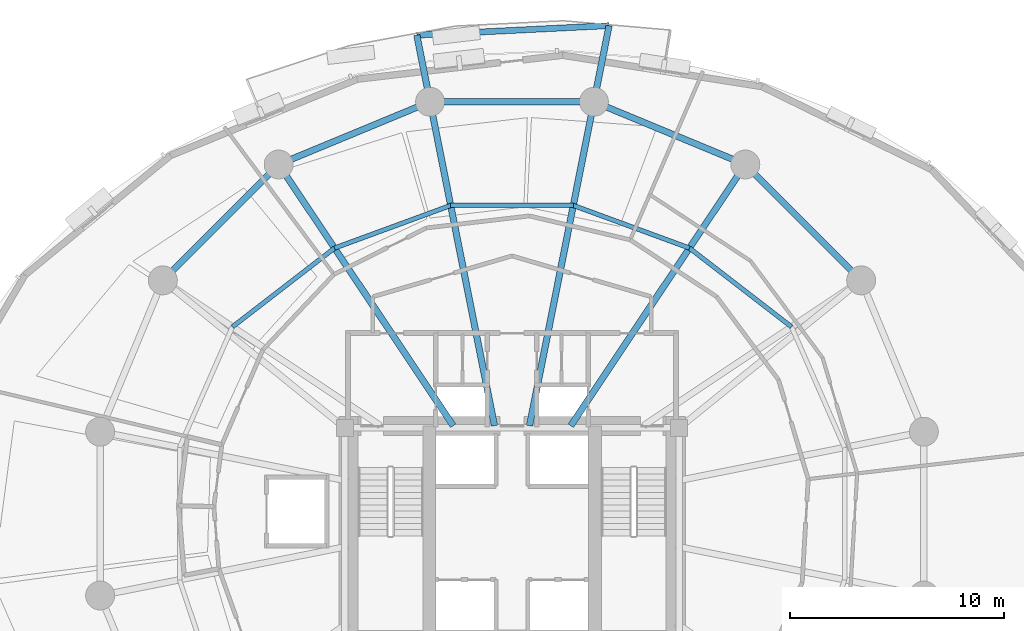
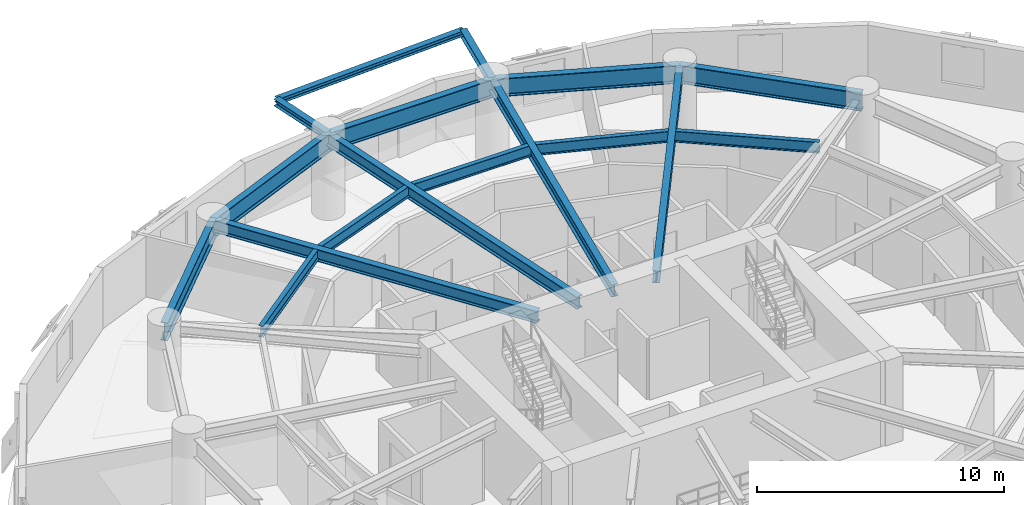
# One storey, part 9 of 17: 17 beams.
"""IFC4 building model written with IfcOpenShell, lengths in metres."""

from ifc_helpers import new_model, si_unit, direction, frame, origin, origin_2d, place, context, subcontext, project, spatial, i_section, extrude, material, material_profile, profile_set, type_object, element, save


model = new_model("IFC4")

# Units and contexts
model_context = context("Model", 3, precision=1e-05, world=origin(), true_north=direction((0.0, 1.0)))
body_context = subcontext(model_context, "Body", "Model", "MODEL_VIEW")
ifc_project = project(units=[si_unit("LENGTHUNIT", "METRE"), si_unit("AREAUNIT", "SQUARE_METRE"), si_unit("VOLUMEUNIT", "CUBIC_METRE"), si_unit("PLANEANGLEUNIT", "RADIAN"), si_unit("MASSUNIT", "GRAM", prefix="KILO"), si_unit("THERMODYNAMICTEMPERATUREUNIT", "KELVIN"), si_unit("POWERUNIT", "WATT")], contexts=[model_context])

# Site, building, storey
site_placement = place(None, origin())
site = spatial("IfcSite", under=ifc_project, at=site_placement, CompositionType="ELEMENT")
building_placement = place(site_placement, origin())
building = spatial("IfcBuilding", under=site, at=building_placement, Name="Ocrelia Relay Tower", CompositionType="ELEMENT")
storey_placement = place(building_placement, frame((0.0, 0.0, 59.39990234375)))
storey = spatial("IfcBuildingStorey", under=building, at=storey_placement, Name="L13", CompositionType="ELEMENT", Elevation=59.39990234375)

# Beams
ifc_material = material(Name="Steel S355", Category="steel")
ifc_material_profile_1 = material_profile(ifc_material, i_section(OverallWidth=0.280029296875, OverallDepth=0.27001953125, WebThickness=0.008056640625, FlangeThickness=0.012939453125, FilletRadius=0.02392578125, at=origin_2d()), Name="HEA 280")
ifc_profile_set_1 = profile_set([ifc_material_profile_1], Name="Steel S355")
beam_type_1 = type_object("IfcBeamType", Name="BM-HEA280", PredefinedType="BEAM", material=ifc_profile_set_1)
beam_1_placement = place(storey_placement, frame((38.53076171875, 48.777587890625, 3.78515625), z_axis=(-0.998781642937, -0.049348046894, 0.0), x_axis=(0.049348046894, -0.998781642937, 0.0)))
element("IfcBeam", 1, at=beam_1_placement, inside=storey, type_object=beam_type_1, Name="L14 Balcony Edge Trimmer Beam B1", PredefinedType="BEAM", context=body_context, shape_type="SweptSolid", body=[
    extrude(i_section(OverallWidth=0.280029296875, OverallDepth=0.27001953125, WebThickness=0.008056640625, FlangeThickness=0.012939453125, FilletRadius=0.02392578125, at=origin_2d()), origin(), (0.0, 0.0, 1.0), 8.984375),
])
ifc_material_profile_2 = material_profile(ifc_material, i_section(OverallWidth=0.300048828125, OverallDepth=0.330078125, WebThickness=0.009521484375, FlangeThickness=0.0166015625, FilletRadius=0.027099609375, at=origin_2d()), Name="HEA 340")
ifc_profile_set_2 = profile_set([ifc_material_profile_2], Name="Steel S355")
beam_type_2 = type_object("IfcBeamType", Name="BM-HEA340", PredefinedType="BEAM", material=ifc_profile_set_2)
beam_2_placement = place(storey_placement, frame((37.82373046875, 45.223388671875, 3.755126953125), z_axis=(0.195105470888, 0.980782266984, 0.0), x_axis=(-0.980782266984, 0.195105470888, 0.0)))
element("IfcBeam", 2, at=beam_2_placement, inside=storey, type_object=beam_type_2, Name="L14 Balcony Cantilever Beam B1-1", PredefinedType="BEAM", context=body_context, shape_type="SweptSolid", body=[
    extrude(i_section(OverallWidth=0.300048828125, OverallDepth=0.330078125, WebThickness=0.009521484375, FlangeThickness=0.0166015625, FilletRadius=0.027099609375, at=origin_2d()), origin(), (0.0, 0.0, 1.0), 3.623779296875),
])
beam_3_placement = place(storey_placement, frame((30.17626953125, 45.223388671875, 3.755126953125), z_axis=(-0.195124278901, 0.980778525348, 0.0), x_axis=(-0.980778525348, -0.195124278901, 0.0)))
element("IfcBeam", 3, at=beam_3_placement, inside=storey, type_object=beam_type_2, Name="L14 Balcony Cantilever Beam B1-2", PredefinedType="BEAM", context=body_context, shape_type="SweptSolid", body=[
    extrude(i_section(OverallWidth=0.300048828125, OverallDepth=0.330078125, WebThickness=0.009521484375, FlangeThickness=0.0166015625, FilletRadius=0.027099609375, at=origin_2d()), origin(), (0.0, 0.0, 1.0), 3.171875),
])
ifc_material_profile_3 = material_profile(ifc_material, i_section(OverallWidth=0.300048828125, OverallDepth=0.60009765625, WebThickness=0.015380859375, FlangeThickness=0.030029296875, FilletRadius=0.027099609375, at=origin_2d()), Name="HEB 600")
ifc_profile_set_3 = profile_set([ifc_material_profile_3], Name="Steel S355")
beam_type_3 = type_object("IfcBeamType", Name="BM-HEB600", PredefinedType="BEAM", material=ifc_profile_set_3)
beam_4_placement = place(storey_placement, frame((44.88916015625, 42.296875, 3.6201171875), z_axis=(-0.555564422059, -0.831473495033, 0.0), x_axis=(0.831473495033, -0.555564422059, 0.0)))
element("IfcBeam", 4, at=beam_4_placement, inside=storey, type_object=beam_type_3, Name="L13 Radial Floor Girder R03", PredefinedType="BEAM", context=body_context, shape_type="SweptSolid", body=[
    extrude(i_section(OverallWidth=0.300048828125, OverallDepth=0.60009765625, WebThickness=0.015380859375, FlangeThickness=0.030029296875, FilletRadius=0.027099609375, at=origin_2d()), origin(), (0.0, 0.0, 1.0), 14.6630859375),
])
for number, where, z_axis, x_axis, name in (
    (5, (37.82373046875, 45.223388671875, 3.6201171875), (-0.19509567956, -0.980784214706, 0.0), (0.980784214706, -0.19509567956, 0.0), "L13 Radial Floor Girder R04"),
    (6, (30.17626953125, 45.223388671875, 3.6201171875), (0.19509567956, -0.980784214706, 0.0), (0.980784214706, 0.19509567956, 0.0), "L13 Radial Floor Girder R05"),
):
    element("IfcBeam", number, at=place(storey_placement, frame(where, z_axis=z_axis, x_axis=x_axis)), inside=storey, type_object=beam_type_3, Name=name, PredefinedType="BEAM", context=body_context, shape_type="SweptSolid", body=[
        extrude(i_section(OverallWidth=0.300048828125, OverallDepth=0.60009765625, WebThickness=0.015380859375, FlangeThickness=0.030029296875, FilletRadius=0.027099609375, at=origin_2d()), origin(), (0.0, 0.0, 1.0), 15.41455078125),
    ])
beam_5_placement = place(storey_placement, frame((23.11083984375, 42.296875, 3.6201171875), z_axis=(0.555564422059, -0.831473495033, 0.0), x_axis=(0.831473495033, 0.555564422059, 0.0)))
element("IfcBeam", 7, at=beam_5_placement, inside=storey, type_object=beam_type_3, Name="L13 Radial Floor Girder R06", PredefinedType="BEAM", context=body_context, shape_type="SweptSolid", body=[
    extrude(i_section(OverallWidth=0.300048828125, OverallDepth=0.60009765625, WebThickness=0.015380859375, FlangeThickness=0.030029296875, FilletRadius=0.027099609375, at=origin_2d()), origin(), (0.0, 0.0, 1.0), 14.6630859375),
])
ifc_material_profile_4 = material_profile(ifc_material, i_section(OverallWidth=0.300048828125, OverallDepth=0.89990234375, WebThickness=0.0185546875, FlangeThickness=0.034912109375, FilletRadius=0.030029296875, at=origin_2d()), Name="HEB 900")
ifc_profile_set_4 = profile_set([ifc_material_profile_4], Name="Steel S355")
beam_type_4 = type_object("IfcBeamType", Name="BM-HEB900", PredefinedType="BEAM", material=ifc_profile_set_4)
beam_6_placement = place(storey_placement, frame((50.296875, 36.88916015625, 3.47021484375), z_axis=(-0.707106781187, 0.707106781187, 0.0), x_axis=(-0.707106781187, -0.707106781187, 0.0)))
element("IfcBeam", 8, at=beam_6_placement, inside=storey, type_object=beam_type_4, Name="L13 Perimeter Spandrel Beam S02", PredefinedType="BEAM", context=body_context, shape_type="SweptSolid", body=[
    extrude(i_section(OverallWidth=0.300048828125, OverallDepth=0.89990234375, WebThickness=0.0185546875, FlangeThickness=0.034912109375, FilletRadius=0.030029296875, at=origin_2d()), origin(), (0.0, 0.0, 1.0), 7.647705078125),
])
for number, where, z_axis, x_axis, name in (
    (9, (44.88916015625, 42.296875, 3.47021484375), (-0.923883375589, 0.382674154222, 0.0), (-0.382674154222, -0.923883375589, 0.0), "L13 Perimeter Spandrel Beam S03"),
    (10, (37.82373046875, 45.223388671875, 3.47021484375), (-1.0, 0.0, 0.0), (0.0, -1.0, 0.0), "L13 Perimeter Spandrel Beam S04"),
    (11, (30.17626953125, 45.223388671875, 3.47021484375), (-0.923883375589, -0.382674154222, 0.0), (0.382674154222, -0.923883375589, 0.0), "L13 Perimeter Spandrel Beam S05"),
):
    element("IfcBeam", number, at=place(storey_placement, frame(where, z_axis=z_axis, x_axis=x_axis)), inside=storey, type_object=beam_type_4, Name=name, PredefinedType="BEAM", context=body_context, shape_type="SweptSolid", body=[
        extrude(i_section(OverallWidth=0.300048828125, OverallDepth=0.89990234375, WebThickness=0.0185546875, FlangeThickness=0.034912109375, FilletRadius=0.030029296875, at=origin_2d()), origin(), (0.0, 0.0, 1.0), 7.6474609375),
    ])
beam_7_placement = place(storey_placement, frame((23.11083984375, 42.296875, 3.47021484375), z_axis=(-0.707106781187, -0.707106781187, 0.0), x_axis=(0.707106781187, -0.707106781187, 0.0)))
element("IfcBeam", 12, at=beam_7_placement, inside=storey, type_object=beam_type_4, Name="L13 Perimeter Spandrel Beam S06", PredefinedType="BEAM", context=body_context, shape_type="SweptSolid", body=[
    extrude(i_section(OverallWidth=0.300048828125, OverallDepth=0.89990234375, WebThickness=0.0185546875, FlangeThickness=0.034912109375, FilletRadius=0.030029296875, at=origin_2d()), origin(), (0.0, 0.0, 1.0), 7.647705078125),
])
ifc_material_profile_5 = material_profile(ifc_material, i_section(OverallWidth=0.2099609375, OverallDepth=0.550048828125, WebThickness=0.010986328125, FlangeThickness=0.01708984375, FilletRadius=0.02392578125, at=origin_2d()), Name="IPE 550")
ifc_profile_set_5 = profile_set([ifc_material_profile_5], Name="Steel S355")
beam_type_5 = type_object("IfcBeamType", Name="BM-IPE550", PredefinedType="JOIST", material=ifc_profile_set_5)
beam_8_placement = place(storey_placement, frame((47.0478515625, 34.71826171875, 3.64501953125), z_axis=(-0.791694256239, 0.610917510502, 0.0), x_axis=(-0.610917510502, -0.791694256239, 0.0)))
element("IfcBeam", 13, at=beam_8_placement, inside=storey, type_object=beam_type_5, Name="L13 Secondary Floor Joist J02", PredefinedType="JOIST", context=body_context, shape_type="SweptSolid", body=[
    extrude(i_section(OverallWidth=0.2099609375, OverallDepth=0.550048828125, WebThickness=0.010986328125, FlangeThickness=0.01708984375, FilletRadius=0.02392578125, at=origin_2d()), origin(), (0.0, 0.0, 1.0), 6.019287109375),
])
beam_9_placement = place(storey_placement, frame((42.282470703125, 38.3955078125, 3.64501953125), z_axis=(-0.938745977034, 0.344609910773, 0.0), x_axis=(-0.344609910773, -0.938745977034, 0.0)))
element("IfcBeam", 14, at=beam_9_placement, inside=storey, type_object=beam_type_5, Name="L13 Secondary Floor Joist J03", PredefinedType="JOIST", context=body_context, shape_type="SweptSolid", body=[
    extrude(i_section(OverallWidth=0.2099609375, OverallDepth=0.550048828125, WebThickness=0.010986328125, FlangeThickness=0.01708984375, FilletRadius=0.02392578125, at=origin_2d()), origin(), (0.0, 0.0, 1.0), 5.774658203125),
])
beam_10_placement = place(storey_placement, frame((36.861572265625, 40.385498046875, 3.64501953125), z_axis=(-1.0, 0.0, 0.0), x_axis=(0.0, -1.0, 0.0)))
element("IfcBeam", 15, at=beam_10_placement, inside=storey, type_object=beam_type_5, Name="L13 Secondary Floor Joist J04", PredefinedType="JOIST", context=body_context, shape_type="SweptSolid", body=[
    extrude(i_section(OverallWidth=0.2099609375, OverallDepth=0.550048828125, WebThickness=0.010986328125, FlangeThickness=0.01708984375, FilletRadius=0.02392578125, at=origin_2d()), origin(), (0.0, 0.0, 1.0), 5.72314453125),
])
beam_11_placement = place(storey_placement, frame((31.138427734375, 40.385498046875, 3.64501953125), z_axis=(-0.938745977034, -0.344609910773, 0.0), x_axis=(0.344609910773, -0.938745977034, 0.0)))
element("IfcBeam", 16, at=beam_11_placement, inside=storey, type_object=beam_type_5, Name="L13 Secondary Floor Joist J05", PredefinedType="JOIST", context=body_context, shape_type="SweptSolid", body=[
    extrude(i_section(OverallWidth=0.2099609375, OverallDepth=0.550048828125, WebThickness=0.010986328125, FlangeThickness=0.01708984375, FilletRadius=0.02392578125, at=origin_2d()), origin(), (0.0, 0.0, 1.0), 5.774658203125),
])
beam_12_placement = place(storey_placement, frame((25.717529296875, 38.3955078125, 3.64501953125), z_axis=(-0.791694256239, -0.610917510502, 0.0), x_axis=(0.610917510502, -0.791694256239, 0.0)))
element("IfcBeam", 17, at=beam_12_placement, inside=storey, type_object=beam_type_5, Name="L13 Secondary Floor Joist J06", PredefinedType="JOIST", context=body_context, shape_type="SweptSolid", body=[
    extrude(i_section(OverallWidth=0.2099609375, OverallDepth=0.550048828125, WebThickness=0.010986328125, FlangeThickness=0.01708984375, FilletRadius=0.02392578125, at=origin_2d()), origin(), (0.0, 0.0, 1.0), 6.019287109375),
])

save(model, "model.ifc")
